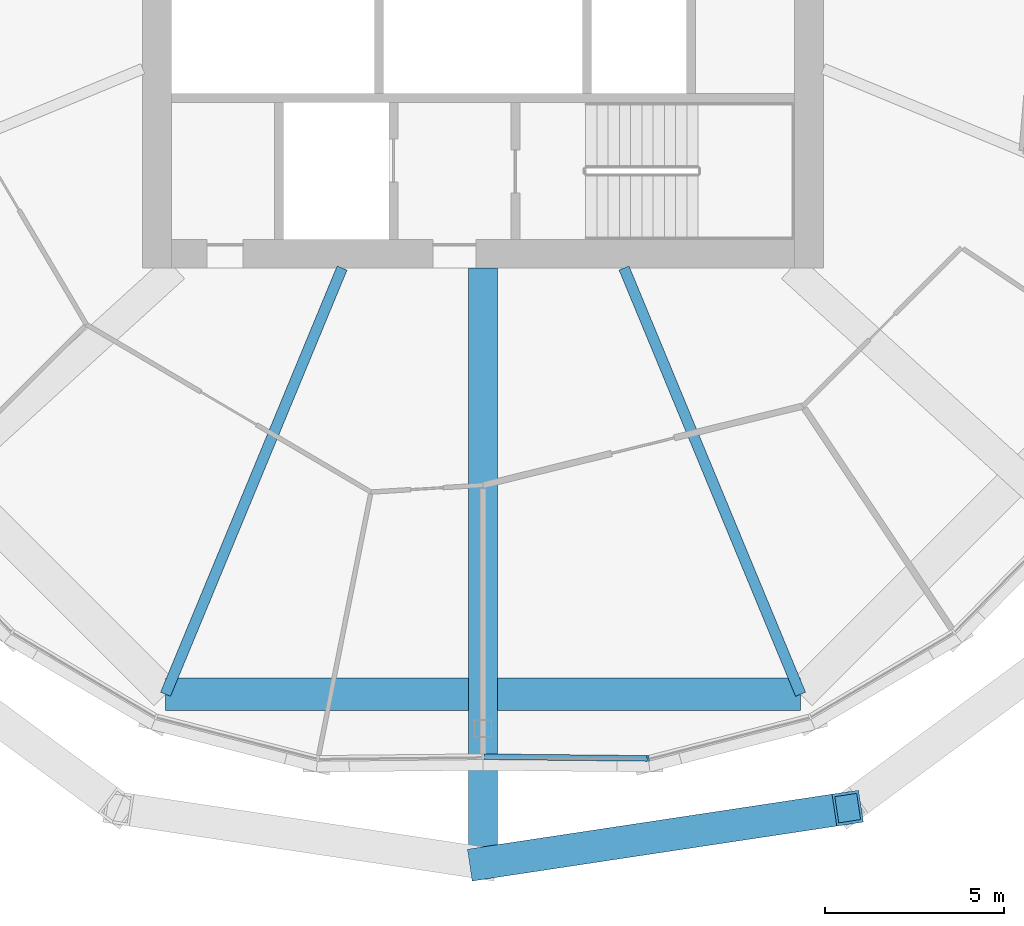
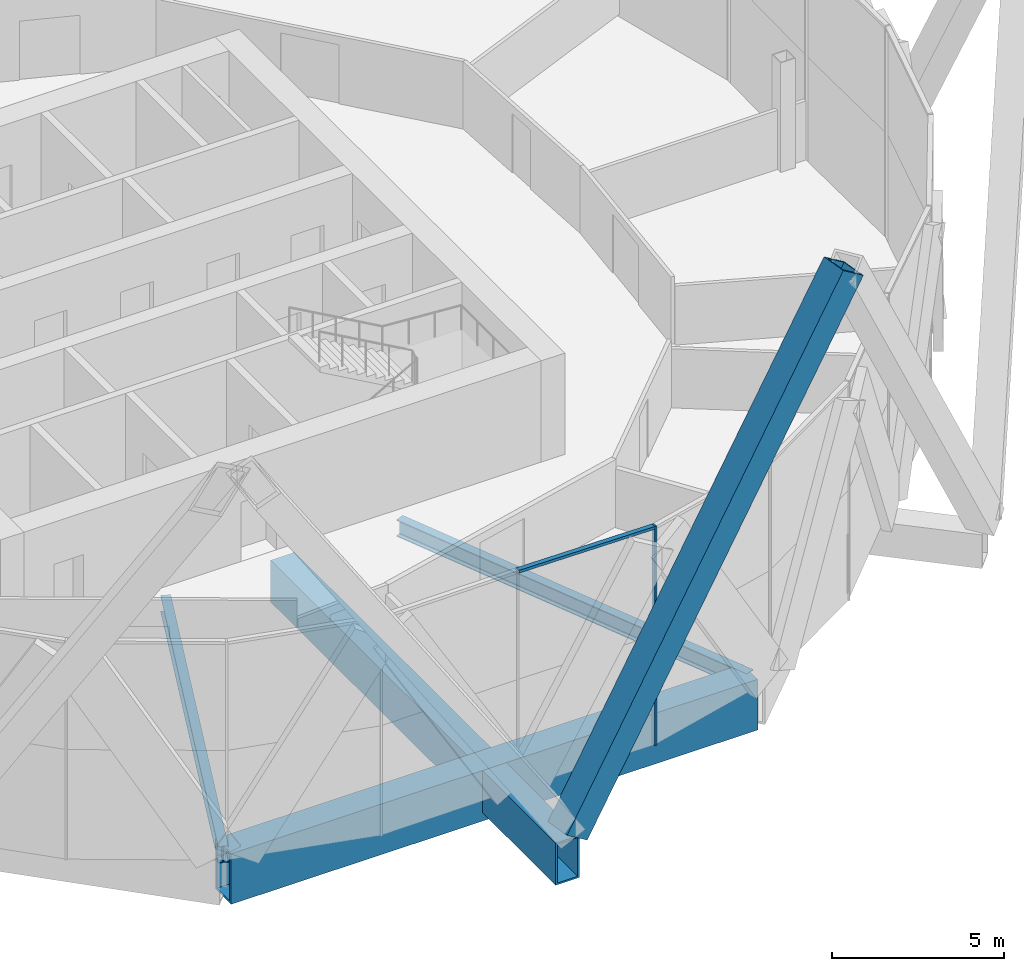
# One storey, part 4 of 28: 4 beams, 3 members, 1 element without a shape of its own.
"""IFC4 building model written with IfcOpenShell, lengths in metres."""

from ifc_helpers import new_model, si_unit, direction, frame, origin, origin_2d, place, context, subcontext, project, spatial, rectangle, hollow_rectangle, i_section, extrude, material, material_profile, profile_set, type_object, element, aggregate, save


model = new_model("IFC4")

# Units and contexts
model_context = context("Model", 3, precision=1e-05, world=origin(), true_north=direction((0.0, 1.0)))
body_context = subcontext(model_context, "Body", "Model", "MODEL_VIEW")
ifc_project = project(units=[si_unit("LENGTHUNIT", "METRE"), si_unit("AREAUNIT", "SQUARE_METRE"), si_unit("VOLUMEUNIT", "CUBIC_METRE"), si_unit("PLANEANGLEUNIT", "RADIAN"), si_unit("MASSUNIT", "GRAM", prefix="KILO")], contexts=[model_context])

# Site, building, storey
site_placement = place(None, origin())
site = spatial("IfcSite", under=ifc_project, at=site_placement, CompositionType="ELEMENT")
building_placement = place(site_placement, origin())
building = spatial("IfcBuilding", under=site, at=building_placement, Name="Ogive Gate Towers", CompositionType="ELEMENT")
storey_placement = place(building_placement, frame((0.0, 0.0, 115.199951171875)))
storey = spatial("IfcBuildingStorey", under=building, at=storey_placement, Name="L27", CompositionType="ELEMENT", Elevation=115.199951171875)

# Member
ifc_material_1 = material(Name="Steel SM460", Category="steel")
ifc_material_profile_1 = material_profile(ifc_material_1, hollow_rectangle(XDim=0.89990234375, YDim=0.89990234375, WallThickness=0.080078125, at=origin_2d()), Name="BX 900x900x80")
ifc_profile_set_1 = profile_set([ifc_material_profile_1], Name="Steel SM460")
member_type_1 = type_object("IfcMemberType", Name="Diagrid diagonal BX 900x900x80", PredefinedType="BRACE", material=ifc_profile_set_1)
member_1_placement = place(storey_placement, frame((-36.0, -26.110107421875, 0.0), z_axis=(0.544627829519, 0.082121961007, 0.834647536889), x_axis=(-0.149100004323, 0.988822121876, 0.0)))
element("IfcMember", 1, at=member_1_placement, inside=storey, type_object=member_type_1, Name="T1/L27/SDG014", PredefinedType="BRACE", context=body_context, shape_type="SweptSolid", body=[
    extrude(hollow_rectangle(XDim=0.89990234375, YDim=0.89990234375, WallThickness=0.080078125, at=origin_2d()), origin(), (0.0, 0.0, 1.0), 18.690673828125),
])

# Beams
ifc_material_profile_2 = material_profile(ifc_material_1, hollow_rectangle(XDim=0.89990234375, YDim=1.800048828125, WallThickness=0.080078125, at=origin_2d()), Name="BX 1800x900x80")
ifc_profile_set_2 = profile_set([ifc_material_profile_2], Name="Steel SM460")
beam_type_1 = type_object("IfcBeamType", Name="Edge girder BX 1800x900x80", PredefinedType="BEAM", material=ifc_profile_set_2)
beam_1_placement = place(storey_placement, frame((-44.863037109375, -21.39697265625, -1.199951171875), z_axis=(1.0, 0.0, 0.0), x_axis=(0.0, 1.0, 0.0)))
element("IfcBeam", 2, at=beam_1_placement, inside=storey, type_object=beam_type_1, Name="T1/L27/SBM018", PredefinedType="BEAM", context=body_context, shape_type="SweptSolid", body=[
    extrude(hollow_rectangle(XDim=0.89990234375, YDim=1.800048828125, WallThickness=0.080078125, at=origin_2d()), origin(), (0.0, 0.0, 1.0), 17.72607421875),
])
ifc_material_2 = material(Name="Steel SM355", Category="steel")
ifc_material_profile_3 = material_profile(ifc_material_2, i_section(OverallWidth=0.300048828125, OverallDepth=0.590087890625, WebThickness=0.012939453125, FlangeThickness=0.02490234375, FilletRadius=0.027099609375, at=origin_2d()), Name="HE 600 A")
ifc_profile_set_3 = profile_set([ifc_material_profile_3], Name="Steel SM355")
beam_type_2 = type_object("IfcBeamType", Name="Radial floor beam HE 600 A", PredefinedType="BEAM", material=ifc_profile_set_3)
for number, where, z_axis, x_axis, name in (
    (3, (-39.93505859375, -9.5, -0.594970703125), (-0.382689470177, -0.923877031545, 0.0), (0.923877031545, -0.382689470177, 0.0), "T1/L27/SBM003"),
    (4, (-32.06494140625, -9.5, -0.594970703125), (0.382689470177, -0.923877031545, 0.0), (0.923877031545, 0.382689470177, 0.0), "T1/L27/SBM005"),
):
    element("IfcBeam", number, at=place(storey_placement, frame(where, z_axis=z_axis, x_axis=x_axis)), inside=storey, type_object=beam_type_2, Name=name, PredefinedType="BEAM", context=body_context, shape_type="SweptSolid", body=[
        extrude(i_section(OverallWidth=0.300048828125, OverallDepth=0.590087890625, WebThickness=0.012939453125, FlangeThickness=0.02490234375, FilletRadius=0.027099609375, at=origin_2d()), origin(), (0.0, 0.0, 1.0), 12.877197265625),
    ])

# Curtain wall, members
ifc_material_3 = material(Name="Pale metal aluminium", Category="aluminium")
curtain_wall_type = type_object("IfcCurtainWallType", Name="Tower unitised wall, low zone", PredefinedType="NOTDEFINED", material=ifc_material_3)
curtain_wall_placement = place(storey_placement, origin())
curtain_wall = element("IfcCurtainWall", 5, at=curtain_wall_placement, inside=storey, type_object=curtain_wall_type, Name="CW1 T1 ECW07", PredefinedType="NOTDEFINED")
ifc_material_profile_4 = material_profile(ifc_material_3, rectangle(XDim=0.159912109375, YDim=0.06005859375, at=origin_2d()), Name="60 x 160 aluminium box")
ifc_profile_set_4 = profile_set([ifc_material_profile_4], Name="Pale metal aluminium")
member_type_2 = type_object("IfcMemberType", Name="Tower unitised wall, low zone mullion 60 x 160", PredefinedType="MULLION", material=ifc_profile_set_4)
member_2_placement = place(storey_placement, frame((-31.393798828125, -23.1875, -0.300048828125), z_axis=(0.0, 0.0, 1.0), x_axis=(0.120379411626, -0.992727957326, 0.0)))
member_2 = element("IfcMember", 6, at=member_2_placement, type_object=member_type_2, Name="CW1 mullion", PredefinedType="MULLION", context=body_context, shape_type="SweptSolid", body=[
    extrude(rectangle(XDim=0.159912109375, YDim=0.06005859375, at=origin_2d()), origin(), (0.0, 0.0, 1.0), 7.800048828125),
])
ifc_material_profile_5 = material_profile(ifc_material_3, rectangle(XDim=0.159912109375, YDim=0.10009765625, at=origin_2d()), Name="100 x 160 aluminium box")
ifc_profile_set_5 = profile_set([ifc_material_profile_5], Name="Pale metal aluminium")
member_type_3 = type_object("IfcMemberType", Name="Tower unitised wall, low zone transom 100 x 160", PredefinedType="USERDEFINED", material=ifc_profile_set_5)
member_3_placement = place(storey_placement, frame((-35.9697265625, -23.140380859375, 7.449951171875), z_axis=(0.999947449507, -0.010251742504, 0.0), x_axis=(0.010251742504, 0.999947449507, 0.0)))
member_3 = element("IfcMember", 7, at=member_3_placement, type_object=member_type_3, Name="CW1 transom", ObjectType="TRANSOM", PredefinedType="USERDEFINED", context=body_context, shape_type="SweptSolid", body=[
    extrude(rectangle(XDim=0.159912109375, YDim=0.10009765625, at=origin_2d()), origin(), (0.0, 0.0, 1.0), 4.548583984375),
])
aggregate(curtain_wall, [member_2, member_3])

# Beam
ifc_material_profile_6 = material_profile(ifc_material_1, hollow_rectangle(XDim=0.800048828125, YDim=1.5, WallThickness=0.06005859375, at=origin_2d()), Name="BX 1500x800x60")
ifc_profile_set_6 = profile_set([ifc_material_profile_6], Name="Steel SM460")
beam_type_3 = type_object("IfcBeamType", Name="Transfer radial beam BX 1500x800x60", PredefinedType="BEAM", material=ifc_profile_set_6)
beam_2_placement = place(storey_placement, frame((-36.0, -9.5, -1.050048828125), z_axis=(0.0, -1.0, 0.0), x_axis=(1.0, 0.0, 0.0)))
element("IfcBeam", 8, at=beam_2_placement, inside=storey, type_object=beam_type_3, Name="T1/L27/SBM004", PredefinedType="BEAM", context=body_context, shape_type="SweptSolid", body=[
    extrude(hollow_rectangle(XDim=0.800048828125, YDim=1.5, WallThickness=0.06005859375, at=origin_2d()), origin(), (0.0, 0.0, 1.0), 16.610107421875),
])

save(model, "model.ifc")
